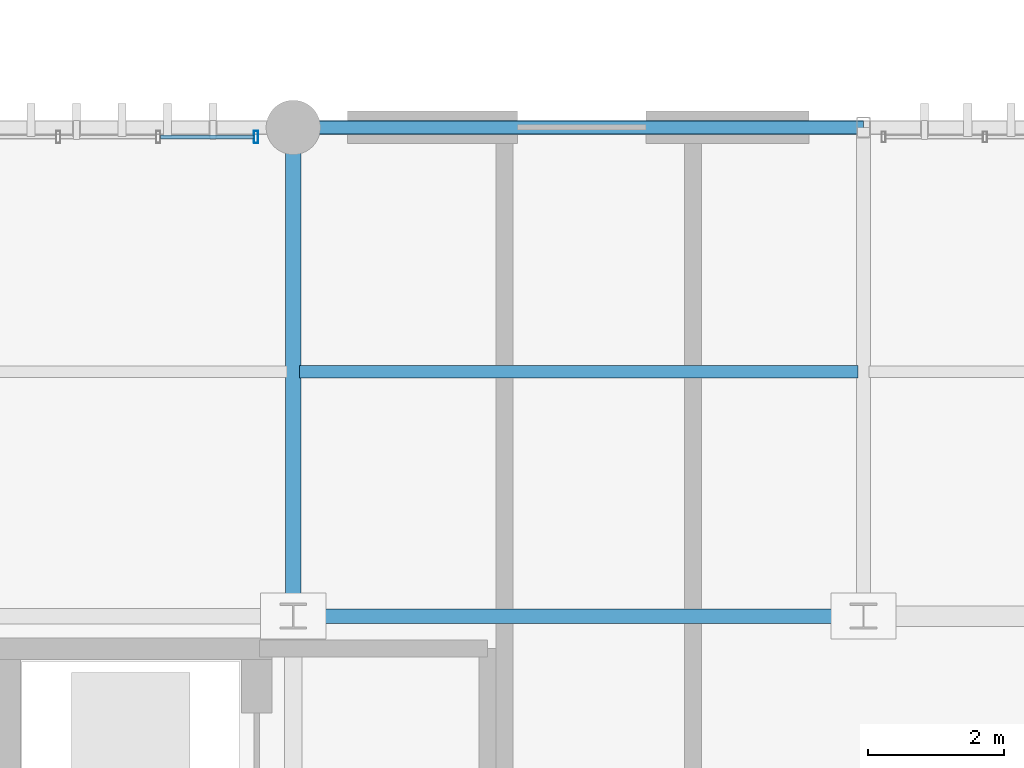
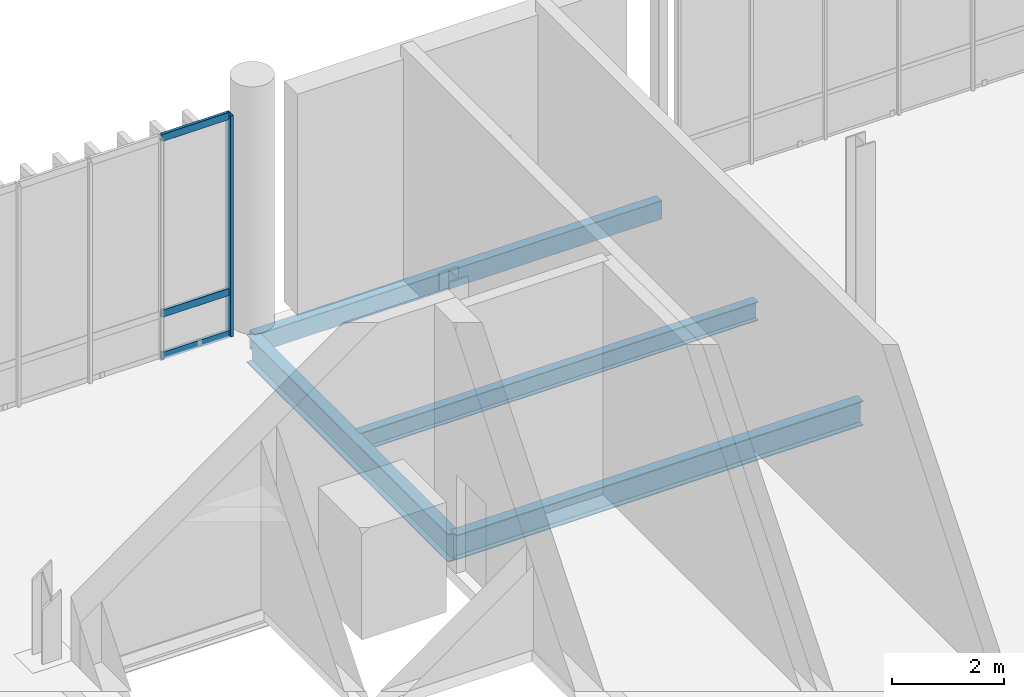
# One storey, part 41 of 112: 4 beams, 4 members, 1 element without a shape of its own.
"""IFC4 building model written with IfcOpenShell, lengths in metres."""

from ifc_helpers import new_model, si_unit, direction, frame, origin_with_axes, origin_2d_with_axis, place, context, subcontext, project, spatial, hollow_rectangle, i_section, extrude, material, material_profile, profile_set, type_object, element, aggregate, save


model = new_model("IFC4")

# Units and contexts
model_context = context("Model", 3, precision=1e-05, world=origin_with_axes(), true_north=direction((0.0, 1.0)))
body_context = subcontext(model_context, "Body", "Model", "MODEL_VIEW")
ifc_project = project(units=[si_unit("LENGTHUNIT", "METRE"), si_unit("AREAUNIT", "SQUARE_METRE"), si_unit("VOLUMEUNIT", "CUBIC_METRE"), si_unit("PLANEANGLEUNIT", "RADIAN"), si_unit("MASSUNIT", "GRAM", prefix="KILO"), si_unit("THERMODYNAMICTEMPERATUREUNIT", "KELVIN")], contexts=[model_context])

# Site, building, storey
site_placement = place(None, origin_with_axes())
site = spatial("IfcSite", under=ifc_project, at=site_placement, CompositionType="ELEMENT")
building_placement = place(site_placement, origin_with_axes())
building = spatial("IfcBuilding", under=site, at=building_placement, Name="Montbau Bow Law Courts", CompositionType="ELEMENT")
storey_placement = place(building_placement, origin_with_axes())
storey = spatial("IfcBuildingStorey", under=building, at=storey_placement, Name="L00", CompositionType="ELEMENT", Elevation=0.0)

# Beams
ifc_material_1 = material(Name="Steel CSA G40.21 Grade 350W (350 MPa)", Category="steel")
ifc_material_profile_1 = material_profile(ifc_material_1, i_section(OverallWidth=0.229, OverallDepth=0.612, WebThickness=0.0119, FlangeThickness=0.0196, at=origin_2d_with_axis()), Name="W610X125", Category="Main", Priority=0)
ifc_profile_set_1 = profile_set([ifc_material_profile_1], Name="Steel CSA G40.21 Grade 350W (350 MPa)")
beam_type_1 = type_object("IfcBeamType", Name="B-FLR-05", PredefinedType="BEAM", material=ifc_profile_set_1)
beam_1_placement = place(None, frame((63.6, 54.6, -0.546), z_axis=(0.0, 1.0, 0.0), x_axis=(-1.0, 0.0, 0.0)))
element("IfcBeam", 1, at=beam_1_placement, inside=storey, type_object=beam_type_1, Name="BM-L00-S0286:bm2_0289", PredefinedType="BEAM", context=body_context, shape_type="SweptSolid", body=[
    extrude(i_section(OverallWidth=0.229, OverallDepth=0.612, WebThickness=0.0119, FlangeThickness=0.0196, at=origin_2d_with_axis()), origin_with_axes(), (0.0, 0.0, 1.0), 7.2),
])
ifc_material_profile_2 = material_profile(ifc_material_1, i_section(OverallWidth=0.21, OverallDepth=0.537, WebThickness=0.0109, FlangeThickness=0.0174, at=origin_2d_with_axis()), Name="W530X101", Category="Main", Priority=0)
ifc_profile_set_2 = profile_set([ifc_material_profile_2], Name="Steel CSA G40.21 Grade 350W (350 MPa)")
beam_type_2 = type_object("IfcBeamType", Name="B-FLR-06", PredefinedType="BEAM", material=ifc_profile_set_2)
beam_2_placement = place(None, frame((63.6, 54.6, -0.508), z_axis=(1.0, 0.0, 0.0), x_axis=(0.0, 1.0, 0.0)))
element("IfcBeam", 2, at=beam_2_placement, inside=storey, type_object=beam_type_2, Name="BM-L00-S0216:bm2_0219", PredefinedType="BEAM", context=body_context, shape_type="SweptSolid", body=[
    extrude(i_section(OverallWidth=0.21, OverallDepth=0.537, WebThickness=0.0109, FlangeThickness=0.0174, at=origin_2d_with_axis()), origin_with_axes(), (0.0, 0.0, 1.0), 8.4),
])
ifc_material_profile_3 = material_profile(ifc_material_1, i_section(OverallWidth=0.179, OverallDepth=0.41, WebThickness=0.0088, FlangeThickness=0.0144, at=origin_2d_with_axis()), Name="W410X67", Category="Main", Priority=0)
ifc_profile_set_3 = profile_set([ifc_material_profile_3], Name="Steel CSA G40.21 Grade 350W (350 MPa)")
beam_type_3 = type_object("IfcBeamType", Name="B-JST-02", PredefinedType="JOIST", material=ifc_profile_set_3)
beam_3_placement = place(None, frame((63.691, 58.2, -0.445), z_axis=(1.0, 0.0, 0.0), x_axis=(0.0, 1.0, 0.0)))
element("IfcBeam", 3, at=beam_3_placement, inside=storey, type_object=beam_type_3, Name="JST-L00-S0069:jst2_0069", PredefinedType="JOIST", context=body_context, shape_type="SweptSolid", body=[
    extrude(i_section(OverallWidth=0.179, OverallDepth=0.41, WebThickness=0.0088, FlangeThickness=0.0144, at=origin_2d_with_axis()), origin_with_axes(), (0.0, 0.0, 1.0), 8.228),
])
ifc_material_2 = material(Name="Steel CSA G40.21 Grade 350WT (350 MPa)", Category="steel")
ifc_material_profile_4 = material_profile(ifc_material_2, hollow_rectangle(XDim=0.203, YDim=0.406, WallThickness=0.0127, InnerFilletRadius=0.0254, OuterFilletRadius=0.0127, at=origin_2d_with_axis()), Name="HSS406X203X13", Category="Main", Priority=0)
ifc_profile_set_4 = profile_set([ifc_material_profile_4], Name="Steel CSA G40.21 Grade 350WT (350 MPa)")
beam_type_4 = type_object("IfcBeamType", Name="B-SPN-01", PredefinedType="SPANDREL", material=ifc_profile_set_4)
beam_4_placement = place(None, frame((63.6, 61.8, -0.443), z_axis=(1.0, 0.0, 0.0), x_axis=(0.0, 1.0, 0.0)))
element("IfcBeam", 4, at=beam_4_placement, inside=storey, type_object=beam_type_4, Name="SPN-L00-S0229:bm2_0232", PredefinedType="SPANDREL", context=body_context, shape_type="SweptSolid", body=[
    extrude(hollow_rectangle(XDim=0.203, YDim=0.406, WallThickness=0.0127, InnerFilletRadius=0.0254, OuterFilletRadius=0.0127, at=origin_2d_with_axis()), origin_with_axes(), (0.0, 0.0, 1.0), 8.4),
])

# Curtain wall, members
ifc_material_3 = material(Name="Thermally Broken Extruded Aluminium AA 6063-T6", Category="aluminium")
curtain_wall_type = type_object("IfcCurtainWallType", Name="CW-CRM-01", PredefinedType="NOTDEFINED", material=ifc_material_3)
curtain_wall_placement = place(None, frame((55.715, 61.66, 0.0), z_axis=(0.0, 0.0, 1.0), x_axis=(1.0, 0.0, 0.0)))
curtain_wall = element("IfcCurtainWall", 5, at=curtain_wall_placement, inside=storey, type_object=curtain_wall_type, Name="CW-L00-130:cw_0130", PredefinedType="NOTDEFINED")
ifc_material_profile_5 = material_profile(ifc_material_3, hollow_rectangle(XDim=0.065, YDim=0.18, WallThickness=0.005, InnerFilletRadius=0.01, OuterFilletRadius=0.005, at=origin_2d_with_axis()), Name="CWM-180X65", Category="Main", Priority=0)
ifc_profile_set_5 = profile_set([ifc_material_profile_5], Name="Thermally Broken Extruded Aluminium AA 6063-T6")
member_type_1 = type_object("IfcMemberType", Name="M-MUL-02", PredefinedType="MULLION", material=ifc_profile_set_5)
member_1_placement = place(None, frame((63.052, 61.66, 0.0), z_axis=(0.0, 0.0, 1.0), x_axis=(1.0, 0.0, 0.0)))
member_1 = element("IfcMember", 6, at=member_1_placement, type_object=member_type_1, Name="CW-L00-130-M06:cw_0130_M06", PredefinedType="MULLION", context=body_context, shape_type="SweptSolid", body=[
    extrude(hollow_rectangle(XDim=0.065, YDim=0.18, WallThickness=0.005, InnerFilletRadius=0.01, OuterFilletRadius=0.005, at=origin_2d_with_axis()), origin_with_axes(), (0.0, 0.0, 1.0), 4.82),
])
ifc_material_profile_6 = material_profile(ifc_material_3, hollow_rectangle(XDim=0.06, YDim=0.16, WallThickness=0.004, InnerFilletRadius=0.008, OuterFilletRadius=0.004, at=origin_2d_with_axis()), Name="CWT-160X60", Category="Main", Priority=0)
ifc_profile_set_6 = profile_set([ifc_material_profile_6], Name="Thermally Broken Extruded Aluminium AA 6063-T6")
member_type_2 = type_object("IfcMemberType", Name="M-TRN-01", PredefinedType="USERDEFINED", material=ifc_profile_set_6)
member_2_placement = place(None, frame((61.645, 61.66, 0.03), z_axis=(1.0, 0.0, 0.0), x_axis=(0.0, 1.0, 0.0)))
member_2 = element("IfcMember", 7, at=member_2_placement, type_object=member_type_2, Name="CW-L00-130-T05-1:cw_0130_T05_1", ObjectType="TRANSOM", PredefinedType="USERDEFINED", context=body_context, shape_type="SweptSolid", body=[
    extrude(hollow_rectangle(XDim=0.06, YDim=0.16, WallThickness=0.004, InnerFilletRadius=0.008, OuterFilletRadius=0.004, at=origin_2d_with_axis()), origin_with_axes(), (0.0, 0.0, 1.0), 1.373),
])
member_3_placement = place(None, frame((61.645, 61.66, 0.95), z_axis=(1.0, 0.0, 0.0), x_axis=(0.0, 1.0, 0.0)))
member_3 = element("IfcMember", 8, at=member_3_placement, type_object=member_type_2, Name="CW-L00-130-T05-2:cw_0130_T05_2", ObjectType="TRANSOM", PredefinedType="USERDEFINED", context=body_context, shape_type="SweptSolid", body=[
    extrude(hollow_rectangle(XDim=0.06, YDim=0.16, WallThickness=0.004, InnerFilletRadius=0.008, OuterFilletRadius=0.004, at=origin_2d_with_axis()), origin_with_axes(), (0.0, 0.0, 1.0), 1.373),
])
member_4_placement = place(None, frame((61.645, 61.66, 4.79), z_axis=(1.0, 0.0, 0.0), x_axis=(0.0, 1.0, 0.0)))
member_4 = element("IfcMember", 9, at=member_4_placement, type_object=member_type_2, Name="CW-L00-130-T05-3:cw_0130_T05_3", ObjectType="TRANSOM", PredefinedType="USERDEFINED", context=body_context, shape_type="SweptSolid", body=[
    extrude(hollow_rectangle(XDim=0.06, YDim=0.16, WallThickness=0.004, InnerFilletRadius=0.008, OuterFilletRadius=0.004, at=origin_2d_with_axis()), origin_with_axes(), (0.0, 0.0, 1.0), 1.373),
])
aggregate(curtain_wall, [member_1, member_2, member_3, member_4])

save(model, "model.ifc")
